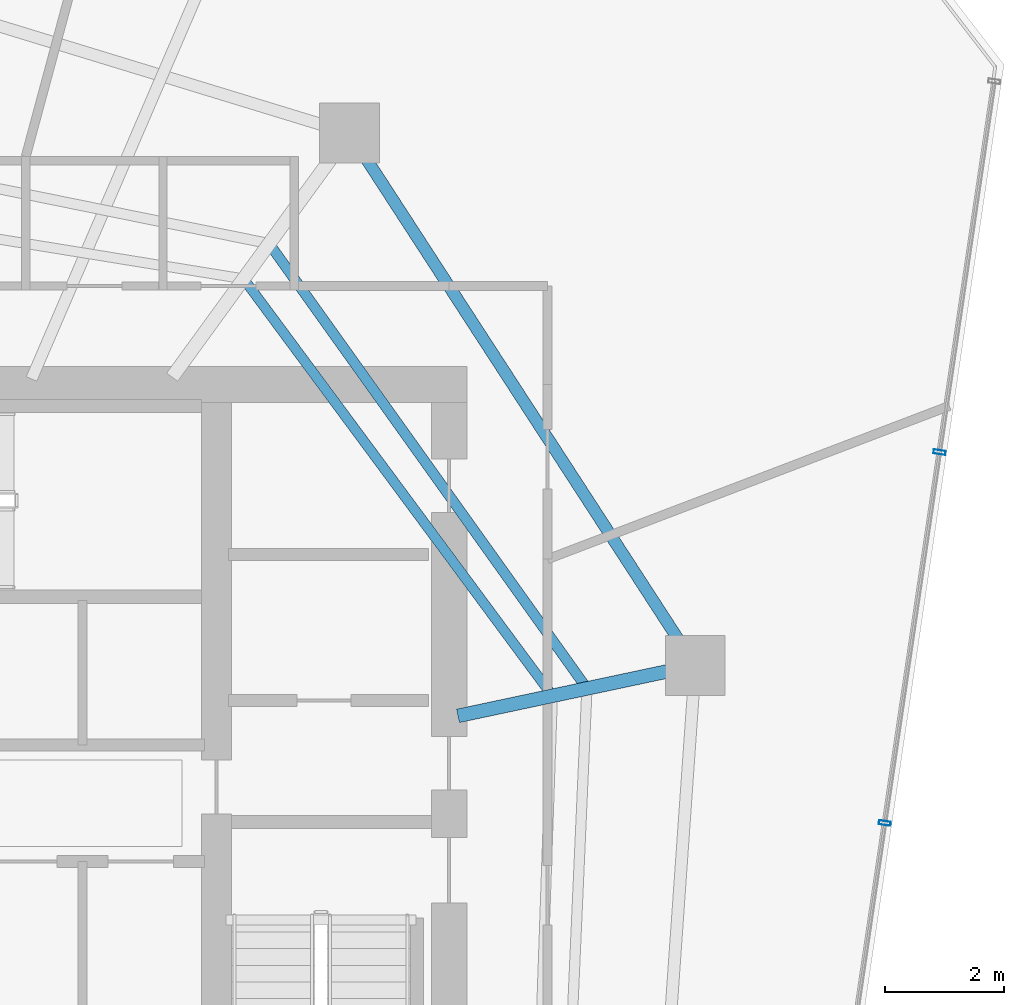
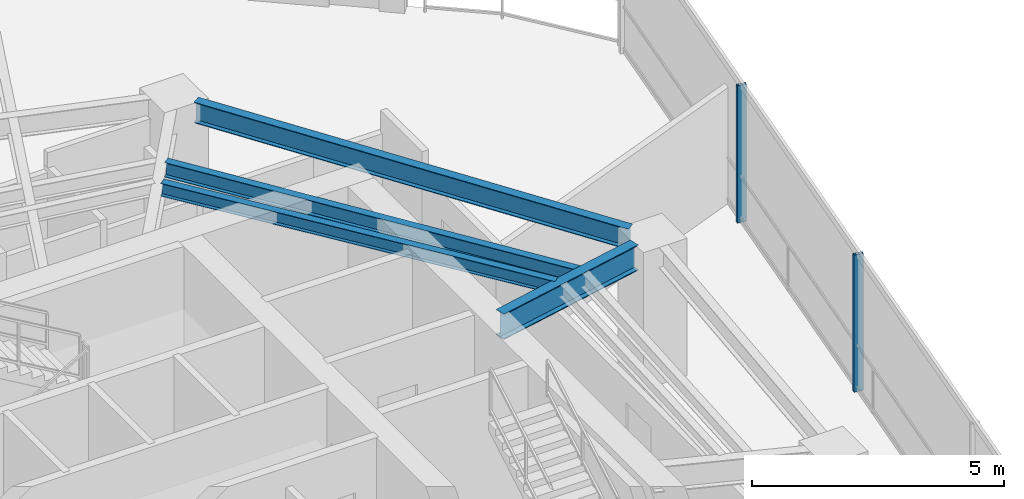
# One storey, part 10 of 20: 4 beams, 2 members, 1 element without a shape of its own.
"""IFC4 building model written with IfcOpenShell, lengths in metres."""

from ifc_helpers import new_model, si_unit, direction, frame, origin, origin_2d, place, context, subcontext, project, spatial, hollow_rectangle, i_section, extrude, material, layer, layer_set, material_profile, profile_set, type_object, element, aggregate, save


model = new_model("IFC4")

# Units and contexts
model_context = context("Model", 3, precision=1e-05, world=origin(), true_north=direction((0.0, 1.0)))
body_context = subcontext(model_context, "Body", "Model", "MODEL_VIEW")
ifc_project = project(units=[si_unit("LENGTHUNIT", "METRE"), si_unit("AREAUNIT", "SQUARE_METRE"), si_unit("VOLUMEUNIT", "CUBIC_METRE"), si_unit("PLANEANGLEUNIT", "RADIAN"), si_unit("MASSUNIT", "GRAM", prefix="KILO")], contexts=[model_context])

# Site, building, storey
site_placement = place(None, origin())
site = spatial("IfcSite", under=ifc_project, at=site_placement, CompositionType="ELEMENT")
building_placement = place(site_placement, origin())
building = spatial("IfcBuilding", under=site, at=building_placement, Name="Qarnah Convention Tower", CompositionType="ELEMENT")
storey_placement = place(building_placement, frame((0.0, 0.0, 147.300048828125)))
storey = spatial("IfcBuildingStorey", under=building, at=storey_placement, Name="L39", CompositionType="ELEMENT", Elevation=147.300048828125)

# Beams
ifc_material_1 = material(Name="Structural steel S355JR", Category="steel")
ifc_material_profile_1 = material_profile(ifc_material_1, i_section(OverallWidth=0.166015625, OverallDepth=0.31201171875, WebThickness=0.007080078125, FlangeThickness=0.010986328125, at=origin_2d()), Name="W310X45")
ifc_profile_set_1 = profile_set([ifc_material_profile_1], Name="Structural steel S355JR")
beam_type_1 = type_object("IfcBeamType", Name="BM-JST-W310", PredefinedType="JOIST", material=ifc_profile_set_1)
beam_1_placement = place(storey_placement, frame((49.278076171875, 29.050048828125, 3.1640625), z_axis=(-0.595115858154, 0.803639916488, 0.0), x_axis=(-0.803639916488, -0.595115858154, 0.0)))
element("IfcBeam", 1, at=beam_1_placement, inside=storey, type_object=beam_type_1, Name="L39 joist BM-L39-IJST-01", PredefinedType="JOIST", context=body_context, shape_type="SweptSolid", body=[
    extrude(i_section(OverallWidth=0.166015625, OverallDepth=0.31201171875, WebThickness=0.007080078125, FlangeThickness=0.010986328125, at=origin_2d()), origin(), (0.0, 0.0, 1.0), 8.52099609375),
])
ifc_material_profile_2 = material_profile(ifc_material_1, i_section(OverallWidth=0.172119140625, OverallDepth=0.35595703125, WebThickness=0.007080078125, FlangeThickness=0.011962890625, at=origin_2d()), Name="W360X51")
ifc_profile_set_2 = profile_set([ifc_material_profile_2], Name="Structural steel S355JR")
beam_type_2 = type_object("IfcBeamType", Name="BM-JST-W360", PredefinedType="JOIST", material=ifc_profile_set_2)
beam_2_placement = place(storey_placement, frame((49.85791015625, 29.174072265625, 3.141845703125), z_axis=(-0.581261320914, 0.813716951286, 0.0), x_axis=(-0.813716951286, -0.581261320914, 0.0)))
element("IfcBeam", 2, at=beam_2_placement, inside=storey, type_object=beam_type_2, Name="L39 joist BM-L39-SJST-01", PredefinedType="JOIST", context=body_context, shape_type="SweptSolid", body=[
    extrude(i_section(OverallWidth=0.172119140625, OverallDepth=0.35595703125, WebThickness=0.007080078125, FlangeThickness=0.011962890625, at=origin_2d()), origin(), (0.0, 0.0, 1.0), 8.987060546875),
])
ifc_material_profile_3 = material_profile(ifc_material_1, i_section(OverallWidth=0.22998046875, OverallDepth=0.617919921875, WebThickness=0.012939453125, FlangeThickness=0.02197265625, at=origin_2d()), Name="W610X140")
ifc_profile_set_3 = profile_set([ifc_material_profile_3], Name="Structural steel S355JR")
beam_type_3 = type_object("IfcBeamType", Name="BM-RAD-W610A", PredefinedType="BEAM", material=ifc_profile_set_3)
beam_3_placement = place(storey_placement, frame((47.7470703125, 28.64111328125, 3.010986328125), z_axis=(0.978133929389, 0.207975999045, 0.0), x_axis=(-0.207975999045, 0.978133929389, 0.0)))
element("IfcBeam", 3, at=beam_3_placement, inside=storey, type_object=beam_type_3, Name="L39 beam BM-L39-RAD-01", PredefinedType="BEAM", context=body_context, shape_type="SweptSolid", body=[
    extrude(i_section(OverallWidth=0.22998046875, OverallDepth=0.617919921875, WebThickness=0.012939453125, FlangeThickness=0.02197265625, at=origin_2d()), origin(), (0.0, 0.0, 1.0), 3.586181640625),
])
ifc_material_profile_4 = material_profile(ifc_material_1, i_section(OverallWidth=0.199951171875, OverallDepth=0.5, WebThickness=0.010009765625, FlangeThickness=0.01611328125, at=origin_2d()), Name="IPE500")
ifc_profile_set_4 = profile_set([ifc_material_profile_4], Name="Structural steel S355JR")
beam_type_4 = type_object("IfcBeamType", Name="BM-SPN-IPE500", PredefinedType="SPANDREL", material=ifc_profile_set_4)
beam_4_placement = place(storey_placement, frame((51.4580078125, 29.89794921875, 3.070068359375), z_axis=(-0.544531816504, 0.838740186717, 0.0), x_axis=(-0.838740186717, -0.544531816504, 0.0)))
element("IfcBeam", 4, at=beam_4_placement, inside=storey, type_object=beam_type_4, Name="L39 spandrel BM-L39-SPN-01", PredefinedType="SPANDREL", context=body_context, shape_type="SweptSolid", body=[
    extrude(i_section(OverallWidth=0.199951171875, OverallDepth=0.5, WebThickness=0.010009765625, FlangeThickness=0.01611328125, at=origin_2d()), origin(), (0.0, 0.0, 1.0), 9.663330078125),
])

# Curtain wall, members
ifc_material_2 = material(Name="Tempered Low-E dark glass", Category="glass")
ifc_layer = layer(ifc_material_2, 0.172119140625)
ifc_layer_set = layer_set([ifc_layer], Name="Tempered Low-E dark glass")
curtain_wall_type = type_object("IfcCurtainWallType", Name="CWS-03", PredefinedType="NOTDEFINED", material=ifc_layer_set)
curtain_wall_placement = place(storey_placement, origin())
curtain_wall = element("IfcCurtainWall", 5, at=curtain_wall_placement, inside=storey, type_object=curtain_wall_type, Name="L39 unitised curtain wall CW-L39-F1", PredefinedType="NOTDEFINED")
ifc_material_3 = material(Name="Black anodised aluminium", Category="aluminium")
ifc_material_profile_5 = material_profile(ifc_material_3, hollow_rectangle(XDim=0.070068359375, YDim=0.199951171875, WallThickness=0.0048828125, at=origin_2d()), Name="MUL-70X200")
ifc_profile_set_5 = profile_set([ifc_material_profile_5], Name="Black anodised aluminium")
member_type = type_object("IfcMemberType", Name="MUL-T3", PredefinedType="MULLION", material=ifc_profile_set_5)
member_1_placement = place(storey_placement, frame((55.82177734375, 33.062744140625, 0.0), z_axis=(0.0, 0.0, 1.0), x_axis=(-0.146079316359, -0.989272881126, 0.0)))
member_1 = element("IfcMember", 6, at=member_1_placement, type_object=member_type, Name="CW-L39-F1 mullion 2", PredefinedType="MULLION", context=body_context, shape_type="SweptSolid", body=[
    extrude(hollow_rectangle(XDim=0.070068359375, YDim=0.199951171875, WallThickness=0.0048828125, at=origin_2d()), origin(), (0.0, 0.0, 1.0), 3.320068359375),
])
member_2_placement = place(storey_placement, frame((54.903564453125, 26.844482421875, 0.0), z_axis=(0.0, 0.0, 1.0), x_axis=(-0.146079316359, -0.989272881126, 0.0)))
member_2 = element("IfcMember", 7, at=member_2_placement, type_object=member_type, Name="CW-L39-F1 mullion 3", PredefinedType="MULLION", context=body_context, shape_type="SweptSolid", body=[
    extrude(hollow_rectangle(XDim=0.070068359375, YDim=0.199951171875, WallThickness=0.0048828125, at=origin_2d()), origin(), (0.0, 0.0, 1.0), 3.320068359375),
])
aggregate(curtain_wall, [member_1, member_2])

save(model, "model.ifc")
